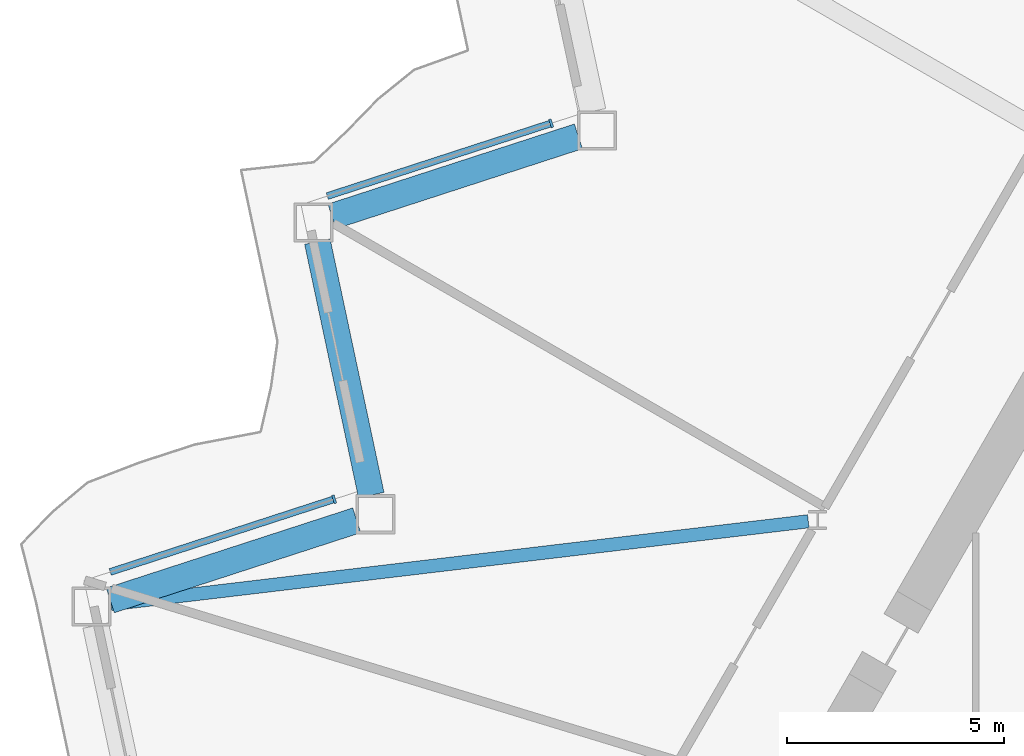
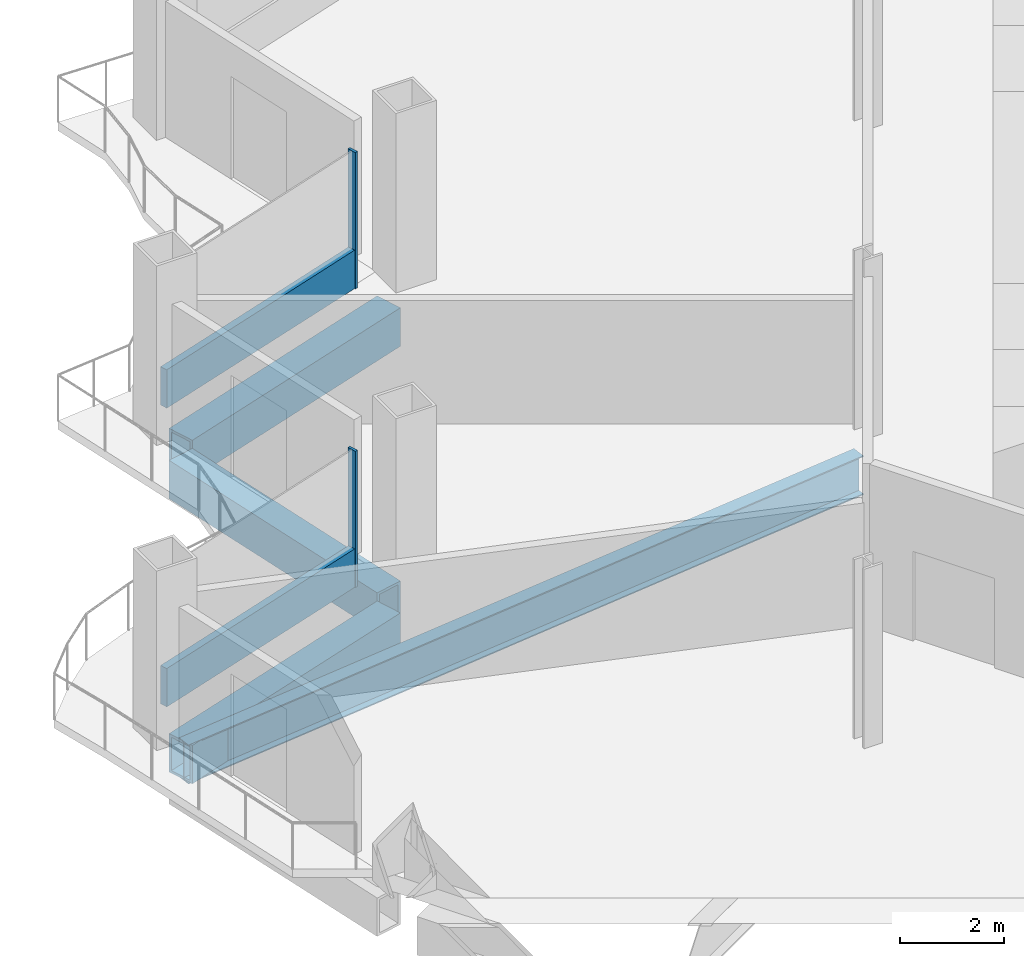
# One storey, part 4 of 21: 4 beams, 4 members, 2 elements without a shape of their own.
"""IFC4 building model written with IfcOpenShell, lengths in metres."""

from ifc_helpers import new_model, si_unit, direction, frame, origin, origin_2d, place, context, subcontext, project, spatial, rectangle, hollow_rectangle, i_section, extrude, material, layer, layer_set, material_profile, profile_set, type_object, element, aggregate, save


model = new_model("IFC4")

# Units and contexts
model_context = context("Model", 3, precision=1e-05, world=origin(), true_north=direction((0.0, 1.0)))
body_context = subcontext(model_context, "Body", "Model", "MODEL_VIEW")
ifc_project = project(units=[si_unit("LENGTHUNIT", "METRE"), si_unit("AREAUNIT", "SQUARE_METRE"), si_unit("VOLUMEUNIT", "CUBIC_METRE"), si_unit("PLANEANGLEUNIT", "RADIAN"), si_unit("MASSUNIT", "GRAM", prefix="KILO")], contexts=[model_context])

# Site, building, storey
site_placement = place(None, origin())
site = spatial("IfcSite", under=ifc_project, at=site_placement, CompositionType="ELEMENT")
building_placement = place(site_placement, origin())
building = spatial("IfcBuilding", under=site, at=building_placement, Name="Cormorant Prow Tower", CompositionType="ELEMENT")
storey_placement = place(building_placement, frame((0.0, 0.0, 99.60009765625)))
storey = spatial("IfcBuildingStorey", under=building, at=storey_placement, Name="L20", CompositionType="ELEMENT", Elevation=99.60009765625)

# Beams
ifc_material_1 = material(Name="Structural steel ASTM A572 Gr 50", Category="steel")
ifc_material_profile_1 = material_profile(ifc_material_1, hollow_rectangle(XDim=0.60009765625, YDim=0.89990234375, WallThickness=0.06005859375, at=origin_2d()), Name="Box 900x600x60")
ifc_profile_set_1 = profile_set([ifc_material_profile_1], Name="Structural steel ASTM A572 Gr 50")
beam_type_1 = type_object("IfcBeamType", Name="Belt truss top chord 900x600x60", PredefinedType="BEAM", material=ifc_profile_set_1)
beam_1_placement = place(storey_placement, frame((-20.99755859375, 5.847900390625, -0.85009765625), z_axis=(-0.951055430656, -0.309020335608, 0.0), x_axis=(0.309020335608, -0.951055430656, 0.0)))
element("IfcBeam", 1, at=beam_1_placement, inside=storey, type_object=beam_type_1, Name="Belt truss top chord TC2 WNW06-WNW07 L20", PredefinedType="BEAM", context=body_context, shape_type="SweptSolid", body=[
    extrude(hollow_rectangle(XDim=0.60009765625, YDim=0.89990234375, WallThickness=0.06005859375, at=origin_2d()), origin(), (0.0, 0.0, 1.0), 5.96240234375),
])
for number, where, z_axis, x_axis, name in (
    (2, (-27.002685546875, 3.426025390625, -0.85009765625), (0.207920947907, -0.978145633033, 0.0), (0.978145633033, 0.207920947907, 0.0), "Belt truss top chord TC2 WNW07-WNW08 L20"),
    (3, (-26.097412109375, -2.985595703125, -0.85009765625), (-0.951059340519, -0.309008302174, 0.0), (0.309008302174, -0.951059340519, 0.0), "Belt truss top chord TC2 WNW08-WNW09 L20"),
):
    element("IfcBeam", number, at=place(storey_placement, frame(where, z_axis=z_axis, x_axis=x_axis)), inside=storey, type_object=beam_type_1, Name=name, PredefinedType="BEAM", context=body_context, shape_type="SweptSolid", body=[
        extrude(hollow_rectangle(XDim=0.60009765625, YDim=0.89990234375, WallThickness=0.06005859375, at=origin_2d()), origin(), (0.0, 0.0, 1.0), 5.962646484375),
    ])

# Curtain wall, member
ifc_material_2 = material(Name="Aluminium 6063-T6", Category="aluminium")
ifc_layer = layer(ifc_material_2, 0.199951171875)
ifc_layer_set = layer_set([ifc_layer], Name="Aluminium 6063-T6")
curtain_wall_type = type_object("IfcCurtainWallType", Name="Office unitised curtain wall 200", PredefinedType="NOTDEFINED", material=ifc_layer_set)
curtain_wall_1_placement = place(storey_placement, origin())
curtain_wall_1 = element("IfcCurtainWall", 4, at=curtain_wall_1_placement, inside=storey, type_object=curtain_wall_type, Name="Office curtain wall WNW06", PredefinedType="NOTDEFINED")
ifc_material_3 = material(Name="Aluminium 6063-T6", Category="aluminium")
ifc_material_profile_2 = material_profile(ifc_material_3, rectangle(XDim=0.199951171875, YDim=0.06005859375, at=origin_2d()), Name="Office mullion 60x200")
ifc_profile_set_2 = profile_set([ifc_material_profile_2], Name="Aluminium 6063-T6")
member_type_1 = type_object("IfcMemberType", Name="Office mullion 60x200", PredefinedType="MULLION", material=ifc_profile_set_2)
member_1_placement = place(storey_placement, frame((-21.623779296875, 6.14794921875, 0.0), z_axis=(0.0, 0.0, 1.0), x_axis=(0.309016933855, -0.951056535959, 0.0)))
member_1 = element("IfcMember", 5, at=member_1_placement, type_object=member_type_1, Name="Office mullion WNW06", PredefinedType="MULLION", context=body_context, shape_type="SweptSolid", body=[
    extrude(rectangle(XDim=0.199951171875, YDim=0.06005859375, at=origin_2d()), origin(), (0.0, 0.0, 1.0), 3.188720703125),
])

curtain_wall_2_placement = place(storey_placement, origin())
curtain_wall_2 = element("IfcCurtainWall", 6, at=curtain_wall_2_placement, inside=storey, type_object=curtain_wall_type, Name="Office curtain wall WNW08", PredefinedType="NOTDEFINED")
member_2_placement = place(storey_placement, frame((-26.616455078125, -2.499755859375, 0.0), z_axis=(0.0, 0.0, 1.0), x_axis=(0.309016933855, -0.951056535959, 0.0)))
member_2 = element("IfcMember", 7, at=member_2_placement, type_object=member_type_1, Name="Office mullion WNW08", PredefinedType="MULLION", context=body_context, shape_type="SweptSolid", body=[
    extrude(rectangle(XDim=0.199951171875, YDim=0.06005859375, at=origin_2d()), origin(), (0.0, 0.0, 1.0), 3.188720703125),
])

# Member
ifc_material_4 = material(Name="Terracotta", Category="masonry")
ifc_material_profile_3 = material_profile(ifc_material_4, rectangle(XDim=0.159912109375, YDim=0.89990234375, at=origin_2d()), Name="Office terracotta spandrel rail 160x900")
ifc_profile_set_3 = profile_set([ifc_material_profile_3], Name="Terracotta")
member_type_2 = type_object("IfcMemberType", Name="Office terracotta spandrel rail 160x900", PredefinedType="USERDEFINED", material=ifc_profile_set_3)
member_3_placement = place(storey_placement, frame((-21.652099609375, 6.138671875, 0.449951171875), z_axis=(-0.951053718729, -0.309025604265, 0.0), x_axis=(0.309025604265, -0.951053718729, 0.0)))
member_3 = element("IfcMember", 8, at=member_3_placement, type_object=member_type_2, Name="Office spandrel rail WNW06", ObjectType="TRANSOM", PredefinedType="USERDEFINED", context=body_context, shape_type="SweptSolid", body=[
    extrude(rectangle(XDim=0.159912109375, YDim=0.89990234375, at=origin_2d()), origin(), (0.0, 0.0, 1.0), 5.386474609375),
])

aggregate(curtain_wall_1, [member_1, member_3])

member_4_placement = place(storey_placement, frame((-26.644775390625, -2.509033203125, 0.449951171875), z_axis=(-0.951067039037, -0.30898460683, 0.0), x_axis=(0.30898460683, -0.951067039037, 0.0)))
member_4 = element("IfcMember", 9, at=member_4_placement, type_object=member_type_2, Name="Office spandrel rail WNW08", ObjectType="TRANSOM", PredefinedType="USERDEFINED", context=body_context, shape_type="SweptSolid", body=[
    extrude(rectangle(XDim=0.159912109375, YDim=0.89990234375, at=origin_2d()), origin(), (0.0, 0.0, 1.0), 5.386474609375),
])

aggregate(curtain_wall_2, [member_2, member_4])

# Beam
ifc_material_5 = material(Name="Structural steel ASTM A992 Gr 50", Category="steel")
ifc_material_profile_4 = material_profile(ifc_material_5, i_section(OverallWidth=0.3046875, OverallDepth=0.914794921875, WebThickness=0.0166015625, FlangeThickness=0.02587890625, at=origin_2d()), Name="W36x160")
ifc_profile_set_4 = profile_set([ifc_material_profile_4], Name="Structural steel ASTM A992 Gr 50")
beam_type_2 = type_object("IfcBeamType", Name="Radial floor beam W36x160", PredefinedType="BEAM", material=ifc_profile_set_4)
beam_2_placement = place(storey_placement, frame((-15.70849609375, -3.00732421875, -0.857421875), z_axis=(-0.993009167646, -0.118037252474, 0.0), x_axis=(0.118037252474, -0.993009167646, 0.0)))
element("IfcBeam", 10, at=beam_2_placement, inside=storey, type_object=beam_type_2, Name="Radial floor beam FB1 4 L20", PredefinedType="BEAM", context=body_context, shape_type="SweptSolid", body=[
    extrude(i_section(OverallWidth=0.3046875, OverallDepth=0.914794921875, WebThickness=0.0166015625, FlangeThickness=0.02587890625, at=origin_2d()), origin(), (0.0, 0.0, 1.0), 16.15380859375),
])

save(model, "model.ifc")
